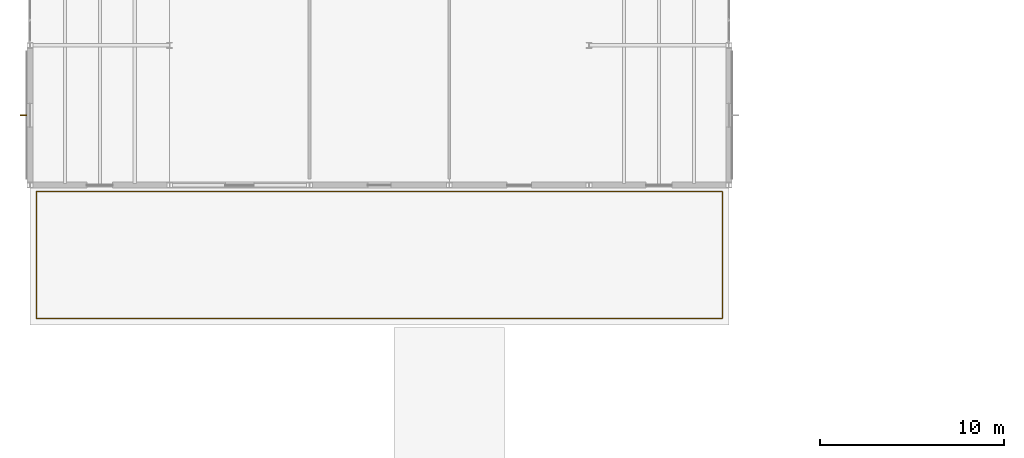
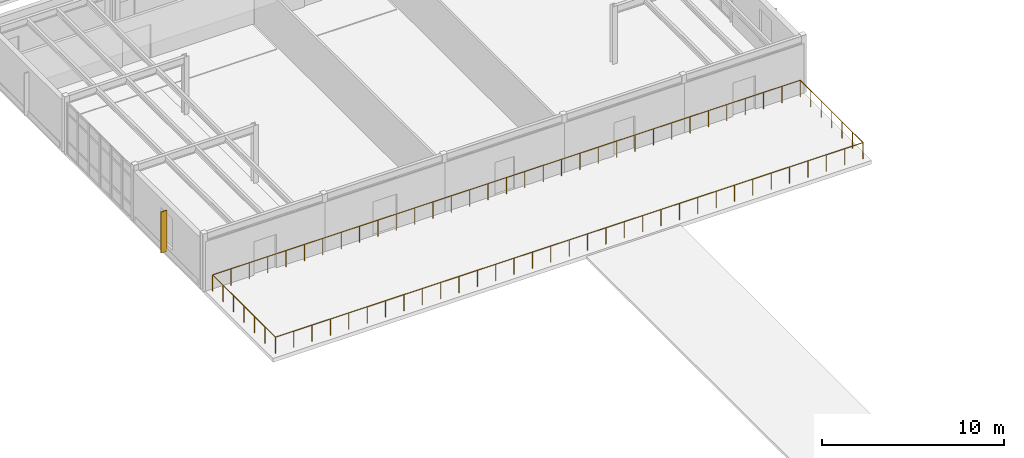
# One storey, part 104 of 114: 1 railing, 1 shading device.
"""IFC4 building model written with IfcOpenShell, lengths in metres."""

from ifc_helpers import new_model, si_unit, direction, frame, origin, origin_2d, place, context, subcontext, project, spatial, rectangle, circle, extrude, material, type_object, element, save


model = new_model("IFC4")

# Units and contexts
model_context = context("Model", 3, precision=1e-05, world=origin(), true_north=direction((0.0, 1.0)))
body_context = subcontext(model_context, "Body", "Model", "MODEL_VIEW")
ifc_project = project(units=[si_unit("LENGTHUNIT", "METRE"), si_unit("AREAUNIT", "SQUARE_METRE"), si_unit("VOLUMEUNIT", "CUBIC_METRE"), si_unit("PLANEANGLEUNIT", "RADIAN"), si_unit("MASSUNIT", "GRAM", prefix="KILO")], contexts=[model_context])

# Site, building, storey
site_placement = place(None, origin())
site = spatial("IfcSite", under=ifc_project, at=site_placement, CompositionType="ELEMENT")
building_placement = place(site_placement, origin())
building = spatial("IfcBuilding", under=site, at=building_placement, Name="Montecoro Central Library", CompositionType="ELEMENT")
storey_placement = place(building_placement, frame((0.0, 0.0, 13.260009765625)))
storey = spatial("IfcBuildingStorey", under=building, at=storey_placement, Name="L03", CompositionType="ELEMENT", Elevation=13.260009765625)

# Railing
ifc_material_1 = material(Name="Architectural bronze and laminated safety balustrade", Category="aluminium")
railing_type = type_object("IfcRailingType", Name="GRD-EXT-110", PredefinedType="GUARDRAIL", material=ifc_material_1)
railing_placement = place(storey_placement, frame((5.35009765625, 73.75, 0.0)))
element("IfcRailing", 1, at=railing_placement, inside=storey, type_object=railing_type, Name="V4-L03-TGRD-1", PredefinedType="GUARDRAIL", context=body_context, shape_type="SweptSolid", body=[
    extrude(circle(Radius=0.02392578125, at=origin_2d()), frame((0.0, 0.0, 1.09619140625), z_axis=(1.0, 0.0, 0.0), x_axis=(0.0, 1.0, 0.0)), (0.0, 0.0, 1.0), 37.2998046875),
    extrude(circle(Radius=0.02392578125, at=origin_2d()), frame((37.2998046875, 0.0, 1.09619140625), z_axis=(0.0, 1.0, 0.0), x_axis=(-1.0, 0.0, 0.0)), (0.0, 0.0, 1.0), 6.89990234375),
    extrude(circle(Radius=0.02392578125, at=origin_2d()), frame((37.2998046875, 6.89990234375, 1.09619140625), z_axis=(-1.0, 0.0, 0.0), x_axis=(0.0, -1.0, 0.0)), (0.0, 0.0, 1.0), 37.2998046875),
    extrude(circle(Radius=0.02392578125, at=origin_2d()), frame((0.0, 6.89990234375, 1.09619140625), z_axis=(0.0, -1.0, 0.0), x_axis=(1.0, 0.0, 0.0)), (0.0, 0.0, 1.0), 6.89990234375),
    extrude(circle(Radius=0.02099609375, at=origin_2d()), origin(), (0.0, 0.0, 1.0), 1.072021484375),
    extrude(circle(Radius=0.02099609375, at=origin_2d()), frame((1.16552734375, 0.0, 0.0)), (0.0, 0.0, 1.0), 1.072021484375),
    extrude(circle(Radius=0.02099609375, at=origin_2d()), frame((2.331298828125, 0.0, 0.0)), (0.0, 0.0, 1.0), 1.072021484375),
    extrude(circle(Radius=0.02099609375, at=origin_2d()), frame((3.496826171875, 0.0, 0.0)), (0.0, 0.0, 1.0), 1.072021484375),
    extrude(circle(Radius=0.02099609375, at=origin_2d()), frame((4.66259765625, 0.0, 0.0)), (0.0, 0.0, 1.0), 1.072021484375),
    extrude(circle(Radius=0.02099609375, at=origin_2d()), frame((5.828125, 0.0, 0.0)), (0.0, 0.0, 1.0), 1.072021484375),
    extrude(circle(Radius=0.02099609375, at=origin_2d()), frame((6.99365234375, 0.0, 0.0)), (0.0, 0.0, 1.0), 1.072021484375),
    extrude(circle(Radius=0.02099609375, at=origin_2d()), frame((8.159423828125, 0.0, 0.0)), (0.0, 0.0, 1.0), 1.072021484375),
    extrude(circle(Radius=0.02099609375, at=origin_2d()), frame((9.324951171875, 0.0, 0.0)), (0.0, 0.0, 1.0), 1.072021484375),
    extrude(circle(Radius=0.02099609375, at=origin_2d()), frame((10.490478515625, 0.0, 0.0)), (0.0, 0.0, 1.0), 1.072021484375),
    extrude(circle(Radius=0.02099609375, at=origin_2d()), frame((11.65625, 0.0, 0.0)), (0.0, 0.0, 1.0), 1.072021484375),
    extrude(circle(Radius=0.02099609375, at=origin_2d()), frame((12.82177734375, 0.0, 0.0)), (0.0, 0.0, 1.0), 1.072021484375),
    extrude(circle(Radius=0.02099609375, at=origin_2d()), frame((13.9873046875, 0.0, 0.0)), (0.0, 0.0, 1.0), 1.072021484375),
    extrude(circle(Radius=0.02099609375, at=origin_2d()), frame((15.153076171875, 0.0, 0.0)), (0.0, 0.0, 1.0), 1.072021484375),
    extrude(circle(Radius=0.02099609375, at=origin_2d()), frame((16.318603515625, 0.0, 0.0)), (0.0, 0.0, 1.0), 1.072021484375),
    extrude(circle(Radius=0.02099609375, at=origin_2d()), frame((17.484375, 0.0, 0.0)), (0.0, 0.0, 1.0), 1.072021484375),
    extrude(circle(Radius=0.02099609375, at=origin_2d()), frame((18.64990234375, 0.0, 0.0)), (0.0, 0.0, 1.0), 1.072021484375),
    extrude(circle(Radius=0.02099609375, at=origin_2d()), frame((19.8154296875, 0.0, 0.0)), (0.0, 0.0, 1.0), 1.072021484375),
    extrude(circle(Radius=0.02099609375, at=origin_2d()), frame((20.981201171875, 0.0, 0.0)), (0.0, 0.0, 1.0), 1.072021484375),
    extrude(circle(Radius=0.02099609375, at=origin_2d()), frame((22.146728515625, 0.0, 0.0)), (0.0, 0.0, 1.0), 1.072021484375),
    extrude(circle(Radius=0.02099609375, at=origin_2d()), frame((23.3125, 0.0, 0.0)), (0.0, 0.0, 1.0), 1.072021484375),
    extrude(circle(Radius=0.02099609375, at=origin_2d()), frame((24.47802734375, 0.0, 0.0)), (0.0, 0.0, 1.0), 1.072021484375),
    extrude(circle(Radius=0.02099609375, at=origin_2d()), frame((25.6435546875, 0.0, 0.0)), (0.0, 0.0, 1.0), 1.072021484375),
    extrude(circle(Radius=0.02099609375, at=origin_2d()), frame((26.809326171875, 0.0, 0.0)), (0.0, 0.0, 1.0), 1.072021484375),
    extrude(circle(Radius=0.02099609375, at=origin_2d()), frame((27.974853515625, 0.0, 0.0)), (0.0, 0.0, 1.0), 1.072021484375),
    extrude(circle(Radius=0.02099609375, at=origin_2d()), frame((29.140380859375, 0.0, 0.0)), (0.0, 0.0, 1.0), 1.072021484375),
    extrude(circle(Radius=0.02099609375, at=origin_2d()), frame((30.30615234375, 0.0, 0.0)), (0.0, 0.0, 1.0), 1.072021484375),
    extrude(circle(Radius=0.02099609375, at=origin_2d()), frame((31.4716796875, 0.0, 0.0)), (0.0, 0.0, 1.0), 1.072021484375),
    extrude(circle(Radius=0.02099609375, at=origin_2d()), frame((32.63720703125, 0.0, 0.0)), (0.0, 0.0, 1.0), 1.072021484375),
    extrude(circle(Radius=0.02099609375, at=origin_2d()), frame((33.802978515625, 0.0, 0.0)), (0.0, 0.0, 1.0), 1.072021484375),
    extrude(circle(Radius=0.02099609375, at=origin_2d()), frame((34.968505859375, 0.0, 0.0)), (0.0, 0.0, 1.0), 1.072021484375),
    extrude(circle(Radius=0.02099609375, at=origin_2d()), frame((36.13427734375, 0.0, 0.0)), (0.0, 0.0, 1.0), 1.072021484375),
    extrude(circle(Radius=0.02099609375, at=origin_2d()), frame((37.2998046875, 0.0, 0.0)), (0.0, 0.0, 1.0), 1.072021484375),
    extrude(circle(Radius=0.02099609375, at=origin_2d()), frame((37.2998046875, 1.14990234375, 0.0)), (0.0, 0.0, 1.0), 1.072021484375),
    extrude(circle(Radius=0.02099609375, at=origin_2d()), frame((37.2998046875, 2.300048828125, 0.0)), (0.0, 0.0, 1.0), 1.072021484375),
    extrude(circle(Radius=0.02099609375, at=origin_2d()), frame((37.2998046875, 3.449951171875, 0.0)), (0.0, 0.0, 1.0), 1.072021484375),
    extrude(circle(Radius=0.02099609375, at=origin_2d()), frame((37.2998046875, 4.599853515625, 0.0)), (0.0, 0.0, 1.0), 1.072021484375),
    extrude(circle(Radius=0.02099609375, at=origin_2d()), frame((37.2998046875, 5.75, 0.0)), (0.0, 0.0, 1.0), 1.072021484375),
    extrude(circle(Radius=0.02099609375, at=origin_2d()), frame((37.2998046875, 6.89990234375, 0.0)), (0.0, 0.0, 1.0), 1.072021484375),
    extrude(circle(Radius=0.02099609375, at=origin_2d()), frame((36.13427734375, 6.89990234375, 0.0)), (0.0, 0.0, 1.0), 1.072021484375),
    extrude(circle(Radius=0.02099609375, at=origin_2d()), frame((34.968505859375, 6.89990234375, 0.0)), (0.0, 0.0, 1.0), 1.072021484375),
    extrude(circle(Radius=0.02099609375, at=origin_2d()), frame((33.802978515625, 6.89990234375, 0.0)), (0.0, 0.0, 1.0), 1.072021484375),
    extrude(circle(Radius=0.02099609375, at=origin_2d()), frame((32.63720703125, 6.89990234375, 0.0)), (0.0, 0.0, 1.0), 1.072021484375),
    extrude(circle(Radius=0.02099609375, at=origin_2d()), frame((31.4716796875, 6.89990234375, 0.0)), (0.0, 0.0, 1.0), 1.072021484375),
    extrude(circle(Radius=0.02099609375, at=origin_2d()), frame((30.30615234375, 6.89990234375, 0.0)), (0.0, 0.0, 1.0), 1.072021484375),
    extrude(circle(Radius=0.02099609375, at=origin_2d()), frame((29.140380859375, 6.89990234375, 0.0)), (0.0, 0.0, 1.0), 1.072021484375),
    extrude(circle(Radius=0.02099609375, at=origin_2d()), frame((27.974853515625, 6.89990234375, 0.0)), (0.0, 0.0, 1.0), 1.072021484375),
    extrude(circle(Radius=0.02099609375, at=origin_2d()), frame((26.809326171875, 6.89990234375, 0.0)), (0.0, 0.0, 1.0), 1.072021484375),
    extrude(circle(Radius=0.02099609375, at=origin_2d()), frame((25.6435546875, 6.89990234375, 0.0)), (0.0, 0.0, 1.0), 1.072021484375),
    extrude(circle(Radius=0.02099609375, at=origin_2d()), frame((24.47802734375, 6.89990234375, 0.0)), (0.0, 0.0, 1.0), 1.072021484375),
    extrude(circle(Radius=0.02099609375, at=origin_2d()), frame((23.3125, 6.89990234375, 0.0)), (0.0, 0.0, 1.0), 1.072021484375),
    extrude(circle(Radius=0.02099609375, at=origin_2d()), frame((22.146728515625, 6.89990234375, 0.0)), (0.0, 0.0, 1.0), 1.072021484375),
    extrude(circle(Radius=0.02099609375, at=origin_2d()), frame((20.981201171875, 6.89990234375, 0.0)), (0.0, 0.0, 1.0), 1.072021484375),
    extrude(circle(Radius=0.02099609375, at=origin_2d()), frame((19.8154296875, 6.89990234375, 0.0)), (0.0, 0.0, 1.0), 1.072021484375),
    extrude(circle(Radius=0.02099609375, at=origin_2d()), frame((18.64990234375, 6.89990234375, 0.0)), (0.0, 0.0, 1.0), 1.072021484375),
    extrude(circle(Radius=0.02099609375, at=origin_2d()), frame((17.484375, 6.89990234375, 0.0)), (0.0, 0.0, 1.0), 1.072021484375),
    extrude(circle(Radius=0.02099609375, at=origin_2d()), frame((16.318603515625, 6.89990234375, 0.0)), (0.0, 0.0, 1.0), 1.072021484375),
    extrude(circle(Radius=0.02099609375, at=origin_2d()), frame((15.153076171875, 6.89990234375, 0.0)), (0.0, 0.0, 1.0), 1.072021484375),
    extrude(circle(Radius=0.02099609375, at=origin_2d()), frame((13.9873046875, 6.89990234375, 0.0)), (0.0, 0.0, 1.0), 1.072021484375),
    extrude(circle(Radius=0.02099609375, at=origin_2d()), frame((12.82177734375, 6.89990234375, 0.0)), (0.0, 0.0, 1.0), 1.072021484375),
    extrude(circle(Radius=0.02099609375, at=origin_2d()), frame((11.65625, 6.89990234375, 0.0)), (0.0, 0.0, 1.0), 1.072021484375),
    extrude(circle(Radius=0.02099609375, at=origin_2d()), frame((10.490478515625, 6.89990234375, 0.0)), (0.0, 0.0, 1.0), 1.072021484375),
    extrude(circle(Radius=0.02099609375, at=origin_2d()), frame((9.324951171875, 6.89990234375, 0.0)), (0.0, 0.0, 1.0), 1.072021484375),
    extrude(circle(Radius=0.02099609375, at=origin_2d()), frame((8.159423828125, 6.89990234375, 0.0)), (0.0, 0.0, 1.0), 1.072021484375),
    extrude(circle(Radius=0.02099609375, at=origin_2d()), frame((6.99365234375, 6.89990234375, 0.0)), (0.0, 0.0, 1.0), 1.072021484375),
    extrude(circle(Radius=0.02099609375, at=origin_2d()), frame((5.828125, 6.89990234375, 0.0)), (0.0, 0.0, 1.0), 1.072021484375),
    extrude(circle(Radius=0.02099609375, at=origin_2d()), frame((4.66259765625, 6.89990234375, 0.0)), (0.0, 0.0, 1.0), 1.072021484375),
    extrude(circle(Radius=0.02099609375, at=origin_2d()), frame((3.496826171875, 6.89990234375, 0.0)), (0.0, 0.0, 1.0), 1.072021484375),
    extrude(circle(Radius=0.02099609375, at=origin_2d()), frame((2.331298828125, 6.89990234375, 0.0)), (0.0, 0.0, 1.0), 1.072021484375),
    extrude(circle(Radius=0.02099609375, at=origin_2d()), frame((1.16552734375, 6.89990234375, 0.0)), (0.0, 0.0, 1.0), 1.072021484375),
    extrude(circle(Radius=0.02099609375, at=origin_2d()), frame((0.0, 6.89990234375, 0.0)), (0.0, 0.0, 1.0), 1.072021484375),
    extrude(circle(Radius=0.02099609375, at=origin_2d()), frame((0.0, 5.75, 0.0)), (0.0, 0.0, 1.0), 1.072021484375),
    extrude(circle(Radius=0.02099609375, at=origin_2d()), frame((0.0, 4.599853515625, 0.0)), (0.0, 0.0, 1.0), 1.072021484375),
    extrude(circle(Radius=0.02099609375, at=origin_2d()), frame((0.0, 3.449951171875, 0.0)), (0.0, 0.0, 1.0), 1.072021484375),
    extrude(circle(Radius=0.02099609375, at=origin_2d()), frame((0.0, 2.300048828125, 0.0)), (0.0, 0.0, 1.0), 1.072021484375),
    extrude(circle(Radius=0.02099609375, at=origin_2d()), frame((0.0, 1.14990234375, 0.0)), (0.0, 0.0, 1.0), 1.072021484375),
])

# Shading device
ifc_material_2 = material(Name="Architectural bronze solar fin", Category="aluminium")
shading_device_type = type_object("IfcShadingDeviceType", Name="SHD-FIN-11", PredefinedType="USERDEFINED", material=ifc_material_2)
shading_device_placement = place(storey_placement, frame((4.6494140625, 84.800048828125, 0.364990234375), z_axis=(0.0, 0.0, 1.0), x_axis=(0.0, -1.0, 0.0)))
element("IfcShadingDevice", 2, at=shading_device_placement, inside=storey, type_object=shading_device_type, Name="V4-L03-FIN-W0", ObjectType="SOLAR FIN", PredefinedType="USERDEFINED", context=body_context, shape_type="SweptSolid", body=[
    extrude(rectangle(XDim=0.06005859375, YDim=0.3798828125, at=origin_2d()), origin(), (0.0, 0.0, 1.0), 2.75),
])

save(model, "model.ifc")
